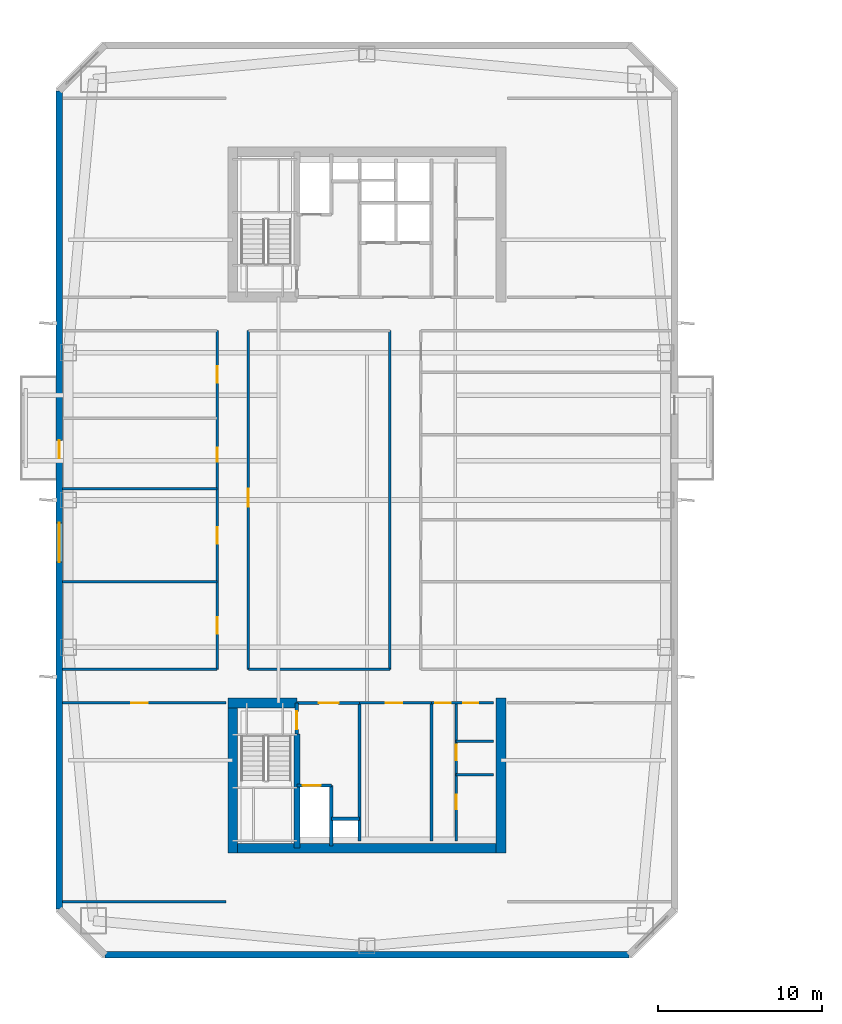
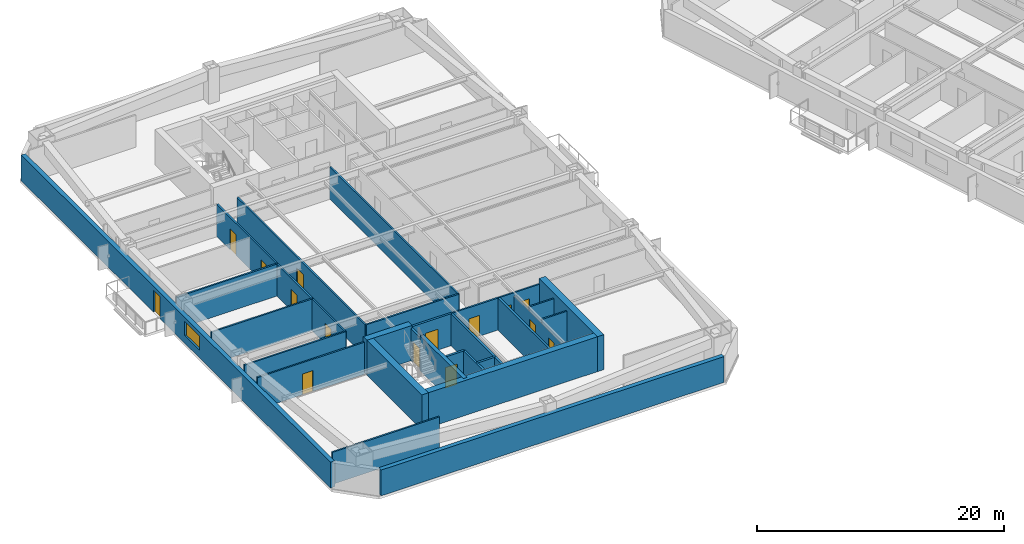
# One storey, part 11 of 23: 28 walls, 15 doors, 1 window, 16 openings.
"""IFC4 building model written with IfcOpenShell, lengths in metres."""

from ifc_helpers import new_model, si_unit, direction, frame, frame_2d, origin, place, context, subcontext, project, spatial, rectangle, extrude, material, layer, layer_set, type_object, element, fill, save


model = new_model("IFC4")

# Units and contexts
model_context = context("Model", 3, precision=1e-05, world=origin(), true_north=direction((0.0, 1.0)))
body_context = subcontext(model_context, "Body", "Model", "MODEL_VIEW")
ifc_project = project(units=[si_unit("LENGTHUNIT", "METRE"), si_unit("AREAUNIT", "SQUARE_METRE"), si_unit("VOLUMEUNIT", "CUBIC_METRE"), si_unit("PLANEANGLEUNIT", "RADIAN"), si_unit("MASSUNIT", "GRAM", prefix="KILO")], contexts=[model_context])

# Site, building, storey
site_placement = place(None, origin())
site = spatial("IfcSite", under=ifc_project, at=site_placement, CompositionType="ELEMENT")
building_placement = place(site_placement, origin())
building = spatial("IfcBuilding", under=site, at=building_placement, Name="Qiaolan Cultural Towers", CompositionType="ELEMENT")
storey_placement = place(building_placement, frame((0.0, 0.0, 100.050048828125)))
storey = spatial("IfcBuildingStorey", under=building, at=storey_placement, Name="L25", CompositionType="ELEMENT", Elevation=100.050048828125)

# Walls
ifc_material_1 = material(Name="Concrete C50", Category="concrete")
ifc_layer_1 = layer(ifc_material_1, 0.35009765625)
ifc_layer_set_1 = layer_set([ifc_layer_1], Name="Concrete C50")
wall_type_1 = type_object("IfcWallType", Name="WL-CORE-350", PredefinedType="SHEAR", material=ifc_layer_set_1)
wall_1_placement = place(storey_placement, frame((25.719970703125, 19.699951171875, 0.0), z_axis=(0.0, 0.0, 1.0), x_axis=(0.0, -1.0, 0.0)))
element("IfcWall", 1, at=wall_1_placement, inside=storey, type_object=wall_type_1, Name="L25 T1-CS Stair Core Dividing Web", PredefinedType="SHEAR", context=body_context, shape_type="SweptSolid", body=[
    extrude(rectangle(XDim=6.97998046875, YDim=0.35009765625, at=frame_2d((3.489990234375, 0.0))), origin(), (0.0, 0.0, 1.0), 3.449951171875),
])
ifc_material_2 = material(Name="Concrete C55", Category="concrete")
ifc_layer_2 = layer(ifc_material_2, 0.60009765625)
ifc_layer_set_2 = layer_set([ifc_layer_2], Name="Concrete C55")
wall_type_2 = type_object("IfcWallType", Name="WL-CORE-600", PredefinedType="SHEAR", material=ifc_layer_set_2)
wall_2_placement = place(storey_placement, frame((21.5, 12.719970703125, 0.0), z_axis=(0.0, 0.0, 1.0), x_axis=(1.0, 0.0, 0.0)))
element("IfcWall", 2, at=wall_2_placement, inside=storey, type_object=wall_type_2, Name="L25 T1-CS Outer Core Shear Wall", PredefinedType="SHEAR", context=body_context, shape_type="SweptSolid", body=[
    extrude(rectangle(XDim=17.0, YDim=0.60009765625, at=frame_2d((8.5, 0.0))), origin(), (0.0, 0.0, 1.0), 3.449951171875),
])
for number, where, z_axis, x_axis, name in (
    (3, (21.800048828125, 21.89990234375, 0.0), (0.0, 0.0, 1.0), (0.0, -1.0, 0.0), "L25 T1-CS West Core Shear Wall"),
    (4, (38.199951171875, 21.89990234375, 0.0), (0.0, 0.0, 1.0), (0.0, -1.0, 0.0), "L25 T1-CS East Core Shear Wall"),
):
    element("IfcWall", number, at=place(storey_placement, frame(where, z_axis=z_axis, x_axis=x_axis)), inside=storey, type_object=wall_type_2, Name=name, PredefinedType="SHEAR", context=body_context, shape_type="SweptSolid", body=[
        extrude(rectangle(XDim=9.47998046875, YDim=0.60009765625, at=frame_2d((4.739990234375, 0.0))), origin(), (0.0, 0.0, 1.0), 3.449951171875),
    ])
wall_3_placement = place(storey_placement, frame((21.5, 21.60009765625, 0.0), z_axis=(0.0, 0.0, 1.0), x_axis=(1.0, 0.0, 0.0)))
element("IfcWall", 5, at=wall_3_placement, inside=storey, type_object=wall_type_2, Name="L25 T1-CS Stair Front Shear Wall", PredefinedType="SHEAR", context=body_context, shape_type="SweptSolid", body=[
    extrude(rectangle(XDim=4.219970703125, YDim=0.60009765625, at=frame_2d((2.10986328125, 0.0))), origin(), (0.0, 0.0, 1.0), 3.449951171875),
])

# Wall, openings, door, window
ifc_material_3 = material(Name="Precast Concrete C50 Honed Stone Pier", Category="masonry")
ifc_layer_3 = layer(ifc_material_3, 0.39990234375)
ifc_layer_set_3 = layer_set([ifc_layer_3], Name="Precast Concrete C50 Honed Stone Pier")
wall_type_3 = type_object("IfcWallType", Name="WL-EXT-PIER-400", PredefinedType="SOLIDWALL", material=ifc_layer_set_3)
wall_4_placement = place(storey_placement, frame((11.199951171875, 9.0, 0.0), z_axis=(0.0, 0.0, 1.0), x_axis=(0.0, 1.0, 0.0)))
wall_4 = element("IfcWall", 6, at=wall_4_placement, inside=storey, type_object=wall_type_3, Name="L25 West Tower Precast Pier Facade Wall F1", PredefinedType="SOLIDWALL", context=body_context, shape_type="SweptSolid", body=[
    extrude(rectangle(XDim=50.0, YDim=0.39990234375, at=frame_2d((25.0, 0.0))), origin(), (0.0, 0.0, 1.0), 2.550048828125),
])
opening_1_placement = place(wall_4_placement, frame((21.199951171875, 0.0, 0.75)))
opening_1 = element("IfcOpeningElement", 7, at=opening_1_placement, cuts=wall_4, Name="Opening W-02", PredefinedType="OPENING", context=body_context, shape_type="SweptSolid", body=[
    extrude(rectangle(XDim=2.39990234375, YDim=1.39990234375, at=frame_2d((1.199951171875, 0.699951171875))), frame((0.0, 0.2099609375, 0.0), z_axis=(0.0, -1.0, 0.0), x_axis=(1.0, 0.0, 0.0)), (0.0, 0.0, 1.0), 0.419921875),
])
opening_2_placement = place(wall_4_placement, frame((27.550048828125, 0.0, 0.0)))
opening_2 = element("IfcOpeningElement", 8, at=opening_2_placement, cuts=wall_4, Name="Opening BD-01", PredefinedType="OPENING", context=body_context, shape_type="SweptSolid", body=[
    extrude(rectangle(XDim=1.10009765625, YDim=2.14990234375, at=frame_2d((0.550048828125, 1.074951171875))), frame((0.0, 0.2099609375, 0.0), z_axis=(0.0, -1.0, 0.0), x_axis=(1.0, 0.0, 0.0)), (0.0, 0.0, 1.0), 0.419921875),
])
ifc_material_4 = material(Name="Thermally Broken Aluminium Glazed Terrace Door", Category="aluminium")
door_type_1 = type_object("IfcDoorType", Name="DR-BAL-1100", OperationType="NOTDEFINED", PredefinedType="DOOR", material=ifc_material_4)
door_1_placement = place(opening_2_placement, origin())
door_1 = element("IfcDoor", 9, at=door_1_placement, inside=storey, type_object=door_type_1, Name="L25 T1 West Tree Balcony Door", OperationType="SINGLE_SWING_LEFT", OverallHeight=2.14990234375, OverallWidth=1.10009765625, PredefinedType="DOOR", context=body_context, shape_type="SweptSolid", body=[
    extrude(rectangle(XDim=1.10009765625, YDim=2.14990234375, at=frame_2d((0.550048828125, 1.074951171875))), frame((0.0, 0.02490234375, 0.0), z_axis=(0.0, -1.0, 0.0), x_axis=(1.0, 0.0, 0.0)), (0.0, 0.0, 1.0), 0.050048828125),
])
fill(opening_2, door_1)
ifc_material_5 = material(Name="Thermally Broken Aluminium Triple Low-E Glazing", Category="aluminium")
window_type = type_object("IfcWindowType", Name="WN-CHIC-2400", PartitioningType="SINGLE_PANEL", PredefinedType="WINDOW", material=ifc_material_5)
window_placement = place(opening_1_placement, origin())
window = element("IfcWindow", 10, at=window_placement, inside=storey, type_object=window_type, Name="L25 T1 W Chicago Bay Window 1", OverallHeight=1.39990234375, OverallWidth=2.39990234375, PartitioningType="TRIPLE_PANEL_VERTICAL", PredefinedType="WINDOW", context=body_context, shape_type="SweptSolid", body=[
    extrude(rectangle(XDim=2.39990234375, YDim=1.39990234375, at=frame_2d((1.199951171875, 0.699951171875))), frame((0.0, 0.030029296875, 0.0), z_axis=(0.0, -1.0, 0.0), x_axis=(1.0, 0.0, 0.0)), (0.0, 0.0, 1.0), 0.06005859375),
])
fill(opening_1, window)

# Wall
wall_5_placement = place(storey_placement, frame((46.0, 6.199951171875, 0.0), z_axis=(0.0, 0.0, 1.0), x_axis=(-1.0, 0.0, 0.0)))
element("IfcWall", 11, at=wall_5_placement, inside=storey, type_object=wall_type_3, Name="L25 West Tower Precast Pier Facade Wall F7", PredefinedType="SOLIDWALL", context=body_context, shape_type="SweptSolid", body=[
    extrude(rectangle(XDim=32.0, YDim=0.39990234375, at=frame_2d((16.0, 0.0))), origin(), (0.0, 0.0, 1.0), 2.550048828125),
])

# Wall, opening, door
ifc_material_6 = material(Name="Concrete C35 Fire Wall", Category="concrete")
ifc_layer_4 = layer(ifc_material_6, 0.199951171875)
ifc_layer_set_4 = layer_set([ifc_layer_4], Name="Concrete C35 Fire Wall")
wall_type_4 = type_object("IfcWallType", Name="WL-FIRE-200", PredefinedType="PARTITIONING", material=ifc_layer_set_4)
wall_6_placement = place(storey_placement, frame((25.719970703125, 21.60009765625, 0.0), z_axis=(0.0, 0.0, 1.0), x_axis=(0.0, -1.0, 0.0)))
wall_6 = element("IfcWall", 12, at=wall_6_placement, inside=storey, type_object=wall_type_4, Name="L25 T1-CS Smokeproof Stair Entry Wall", PredefinedType="PARTITIONING", context=body_context, shape_type="SweptSolid", body=[
    extrude(rectangle(XDim=1.900146484375, YDim=0.199951171875, at=frame_2d((0.9501953125, 0.0))), origin(), (0.0, 0.0, 1.0), 3.155029296875),
])
opening_3_placement = place(wall_6_placement, frame((0.52001953125, 0.0, 0.0)))
opening_3 = element("IfcOpeningElement", 13, at=opening_3_placement, cuts=wall_6, Name="Opening FD-04", PredefinedType="OPENING", context=body_context, shape_type="SweptSolid", body=[
    extrude(rectangle(XDim=1.10009765625, YDim=2.050048828125, at=frame_2d((0.550048828125, 1.02490234375))), frame((0.0, 0.10986328125, 0.0), z_axis=(0.0, -1.0, 0.0), x_axis=(1.0, 0.0, 0.0)), (0.0, 0.0, 1.0), 0.219970703125),
])
ifc_material_7 = material(Name="Galvanized Steel Command Fire Door", Category="steel")
door_type_2 = type_object("IfcDoorType", Name="DR-FD90-1100", OperationType="NOTDEFINED", PredefinedType="DOOR", material=ifc_material_7)
door_2_placement = place(opening_3_placement, origin())
door_2 = element("IfcDoor", 14, at=door_2_placement, inside=storey, type_object=door_type_2, Name="L25 ST-W1 Smokeproof Stair Fire Door", OperationType="SINGLE_SWING_LEFT", OverallHeight=2.050048828125, OverallWidth=1.10009765625, PredefinedType="DOOR", context=body_context, shape_type="SweptSolid", body=[
    extrude(rectangle(XDim=1.10009765625, YDim=2.050048828125, at=frame_2d((0.550048828125, 1.02490234375))), frame((0.0, 0.02490234375, 0.0), z_axis=(0.0, -1.0, 0.0), x_axis=(1.0, 0.0, 0.0)), (0.0, 0.0, 1.0), 0.050048828125),
])
fill(opening_3, door_2)

# Wall
wall_7_placement = place(storey_placement, frame((29.550048828125, 21.60009765625, 0.0), z_axis=(0.0, 0.0, 1.0), x_axis=(0.0, -1.0, 0.0)))
element("IfcWall", 15, at=wall_7_placement, inside=storey, type_object=wall_type_4, Name="L25 T1-CS Firefighting Zone Wall", PredefinedType="PARTITIONING", context=body_context, shape_type="SweptSolid", body=[
    extrude(rectangle(XDim=8.43017578125, YDim=0.199951171875, at=frame_2d((4.215087890625, 0.0))), origin(), (0.0, 0.0, 1.0), 3.155029296875),
])

# Wall, opening, door
wall_8_placement = place(storey_placement, frame((25.719970703125, 21.60009765625, 0.0), z_axis=(0.0, 0.0, 1.0), x_axis=(1.0, 0.0, 0.0)))
wall_8 = element("IfcWall", 16, at=wall_8_placement, inside=storey, type_object=wall_type_4, Name="L25 T1-CS Firefighting Lobby Front Wall", PredefinedType="PARTITIONING", context=body_context, shape_type="SweptSolid", body=[
    extrude(rectangle(XDim=3.830078125, YDim=0.199951171875, at=frame_2d((1.9150390625, 0.0))), origin(), (0.0, 0.0, 1.0), 3.155029296875),
])
opening_4_placement = place(wall_8_placement, frame((1.35009765625, 0.0, 0.0)))
opening_4 = element("IfcOpeningElement", 17, at=opening_4_placement, cuts=wall_8, Name="Opening FD-03", PredefinedType="OPENING", context=body_context, shape_type="SweptSolid", body=[
    extrude(rectangle(XDim=1.199951171875, YDim=2.050048828125, at=frame_2d((0.60009765625, 1.02490234375))), frame((0.0, 0.10986328125, 0.0), z_axis=(0.0, -1.0, 0.0), x_axis=(1.0, 0.0, 0.0)), (0.0, 0.0, 1.0), 0.219970703125),
])
ifc_material_8 = material(Name="Galvanized Steel Smokeproof Lobby Fire Door", Category="steel")
door_type_3 = type_object("IfcDoorType", Name="DR-FD90-1200", OperationType="NOTDEFINED", PredefinedType="DOOR", material=ifc_material_8)
door_3_placement = place(opening_4_placement, origin())
door_3 = element("IfcDoor", 18, at=door_3_placement, inside=storey, type_object=door_type_3, Name="L25 FFL-W1 Firefighting Lobby Fire Door", OperationType="SINGLE_SWING_LEFT", OverallHeight=2.050048828125, OverallWidth=1.199951171875, PredefinedType="DOOR", context=body_context, shape_type="SweptSolid", body=[
    extrude(rectangle(XDim=1.199951171875, YDim=2.050048828125, at=frame_2d((0.60009765625, 1.02490234375))), frame((0.0, 0.02490234375, 0.0), z_axis=(0.0, -1.0, 0.0), x_axis=(1.0, 0.0, 0.0)), (0.0, 0.0, 1.0), 0.050048828125),
])
fill(opening_4, door_3)

wall_9_placement = place(storey_placement, frame((25.719970703125, 16.550048828125, 0.0), z_axis=(0.0, 0.0, 1.0), x_axis=(1.0, 0.0, 0.0)))
wall_9 = element("IfcWall", 19, at=wall_9_placement, inside=storey, type_object=wall_type_4, Name="L25 T1-CS Firefighting Shaft Front Wall", PredefinedType="PARTITIONING", context=body_context, shape_type="SweptSolid", body=[
    extrude(rectangle(XDim=2.10009765625, YDim=0.199951171875, at=frame_2d((1.050048828125, 0.0))), origin(), (0.0, 0.0, 1.0), 3.155029296875),
])
opening_5_placement = place(wall_9_placement, frame((0.35009765625, 0.0, 0.0)))
opening_5 = element("IfcOpeningElement", 20, at=opening_5_placement, cuts=wall_9, Name="Opening LD-01", PredefinedType="OPENING", context=body_context, shape_type="SweptSolid", body=[
    extrude(rectangle(XDim=1.10009765625, YDim=2.050048828125, at=frame_2d((0.550048828125, 1.02490234375))), frame((0.0, 0.10986328125, 0.0), z_axis=(0.0, -1.0, 0.0), x_axis=(1.0, 0.0, 0.0)), (0.0, 0.0, 1.0), 0.219970703125),
])
ifc_material_9 = material(Name="Brushed Stainless Steel S30408 Centre-Parting Lift Landing Door", Category="steel")
door_type_4 = type_object("IfcDoorType", Name="DR-LIFT-1100", OperationType="NOTDEFINED", PredefinedType="DOOR", material=ifc_material_9)
door_4_placement = place(opening_5_placement, origin())
door_4 = element("IfcDoor", 21, at=door_4_placement, inside=storey, type_object=door_type_4, Name="L25 FFL-W1 Firefighting Lift Landing Door", OperationType="DOUBLE_DOOR_SLIDING", OverallHeight=2.050048828125, OverallWidth=1.10009765625, PredefinedType="DOOR", context=body_context, shape_type="SweptSolid", body=[
    extrude(rectangle(XDim=1.10009765625, YDim=2.050048828125, at=frame_2d((0.550048828125, 1.02490234375))), frame((0.0, 0.02490234375, 0.0), z_axis=(0.0, -1.0, 0.0), x_axis=(1.0, 0.0, 0.0)), (0.0, 0.0, 1.0), 0.050048828125),
])
fill(opening_5, door_4)

# Walls
wall_10_placement = place(storey_placement, frame((27.820068359375, 16.550048828125, 0.0), z_axis=(0.0, 0.0, 1.0), x_axis=(0.0, -1.0, 0.0)))
element("IfcWall", 22, at=wall_10_placement, inside=storey, type_object=wall_type_4, Name="L25 T1-CS Firefighting Hoistway East Wall", PredefinedType="PARTITIONING", context=body_context, shape_type="SweptSolid", body=[
    extrude(rectangle(XDim=3.699951171875, YDim=0.199951171875, at=frame_2d((1.85009765625, 0.0))), origin(), (0.0, 0.0, 1.0), 3.155029296875),
])
wall_11_placement = place(storey_placement, frame((27.820068359375, 14.52001953125, 0.0), z_axis=(0.0, 0.0, 1.0), x_axis=(1.0, 0.0, 0.0)))
element("IfcWall", 23, at=wall_11_placement, inside=storey, type_object=wall_type_4, Name="L25 T1-CS Pressurization Shaft Front Wall", PredefinedType="PARTITIONING", context=body_context, shape_type="SweptSolid", body=[
    extrude(rectangle(XDim=1.72998046875, YDim=0.199951171875, at=frame_2d((0.864990234375, 0.0))), origin(), (0.0, 0.0, 1.0), 3.155029296875),
])
wall_12_placement = place(storey_placement, frame((33.949951171875, 21.60009765625, 0.0), z_axis=(0.0, 0.0, 1.0), x_axis=(0.0, -1.0, 0.0)))
element("IfcWall", 24, at=wall_12_placement, inside=storey, type_object=wall_type_4, Name="L25 T1-CS Lift Core East Wall", PredefinedType="PARTITIONING", context=body_context, shape_type="SweptSolid", body=[
    extrude(rectangle(XDim=8.43017578125, YDim=0.199951171875, at=frame_2d((4.215087890625, 0.0))), origin(), (0.0, 0.0, 1.0), 3.155029296875),
])

# Wall, opening, door
ifc_material_10 = material(Name="Autoclaved Aerated Concrete Block B06", Category="concrete")
ifc_layer_5 = layer(ifc_material_10, 0.14990234375)
ifc_layer_set_5 = layer_set([ifc_layer_5], Name="Autoclaved Aerated Concrete Block B06")
wall_type_5 = type_object("IfcWallType", Name="WL-PART-150", PredefinedType="PARTITIONING", material=ifc_layer_set_5)
wall_13_placement = place(storey_placement, frame((29.550048828125, 21.60009765625, 0.0), z_axis=(0.0, 0.0, 1.0), x_axis=(1.0, 0.0, 0.0)))
wall_13 = element("IfcWall", 25, at=wall_13_placement, inside=storey, type_object=wall_type_5, Name="L25 T1-CS Reclaimed Core Room Front Wall", PredefinedType="PARTITIONING", context=body_context, shape_type="SweptSolid", body=[
    extrude(rectangle(XDim=4.39990234375, YDim=0.14990234375, at=frame_2d((2.199951171875, 0.0))), origin(), (0.0, 0.0, 1.0), 3.155029296875),
])
opening_6_placement = place(wall_13_placement, frame((1.60009765625, 0.0, 0.0)))
opening_6 = element("IfcOpeningElement", 26, at=opening_6_placement, cuts=wall_13, Name="Opening ID-04", PredefinedType="OPENING", context=body_context, shape_type="SweptSolid", body=[
    extrude(rectangle(XDim=1.0, YDim=2.050048828125, at=frame_2d((0.5, 1.02490234375))), frame((0.0, 0.0849609375, 0.0), z_axis=(0.0, -1.0, 0.0), x_axis=(1.0, 0.0, 0.0)), (0.0, 0.0, 1.0), 0.169921875),
])
ifc_material_11 = material(Name="Oak Veneer Acoustic Office Door", Category="timber")
door_type_5 = type_object("IfcDoorType", Name="DR-INT-1000", OperationType="NOTDEFINED", PredefinedType="DOOR", material=ifc_material_11)
door_5_placement = place(opening_6_placement, origin())
door_5 = element("IfcDoor", 27, at=door_5_placement, inside=storey, type_object=door_type_5, Name="L25 Reclaimed Archive Room Door", OperationType="SINGLE_SWING_LEFT", OverallHeight=2.050048828125, OverallWidth=1.0, PredefinedType="DOOR", context=body_context, shape_type="SweptSolid", body=[
    extrude(rectangle(XDim=1.0, YDim=2.050048828125, at=frame_2d((0.5, 1.02490234375))), frame((0.0, 0.02490234375, 0.0), z_axis=(0.0, -1.0, 0.0), x_axis=(1.0, 0.0, 0.0)), (0.0, 0.0, 1.0), 0.050048828125),
])
fill(opening_6, door_5)

# Wall, openings, doors
wall_14_placement = place(storey_placement, frame((33.949951171875, 21.60009765625, 0.0), z_axis=(0.0, 0.0, 1.0), x_axis=(1.0, 0.0, 0.0)))
wall_14 = element("IfcWall", 28, at=wall_14_placement, inside=storey, type_object=wall_type_5, Name="L25 T1-CS Sanitary Core Front Wall", PredefinedType="PARTITIONING", context=body_context, shape_type="SweptSolid", body=[
    extrude(rectangle(XDim=3.800048828125, YDim=0.14990234375, at=frame_2d((1.89990234375, 0.0))), origin(), (0.0, 0.0, 1.0), 3.155029296875),
])
opening_7_placement = place(wall_14_placement, frame((0.219970703125, 0.0, 0.0)))
opening_7 = element("IfcOpeningElement", 29, at=opening_7_placement, cuts=wall_14, Name="Opening ID-05", PredefinedType="OPENING", context=body_context, shape_type="SweptSolid", body=[
    extrude(rectangle(XDim=0.949951171875, YDim=2.050048828125, at=frame_2d((0.47509765625, 1.02490234375))), frame((0.0, 0.0849609375, 0.0), z_axis=(0.0, -1.0, 0.0), x_axis=(1.0, 0.0, 0.0)), (0.0, 0.0, 1.0), 0.169921875),
])
opening_8_placement = place(wall_14_placement, frame((1.949951171875, 0.0, 0.0)))
opening_8 = element("IfcOpeningElement", 30, at=opening_8_placement, cuts=wall_14, Name="Opening ID-06", PredefinedType="OPENING", context=body_context, shape_type="SweptSolid", body=[
    extrude(rectangle(XDim=0.89990234375, YDim=2.050048828125, at=frame_2d((0.449951171875, 1.02490234375))), frame((0.0, 0.0849609375, 0.0), z_axis=(0.0, -1.0, 0.0), x_axis=(1.0, 0.0, 0.0)), (0.0, 0.0, 1.0), 0.169921875),
])
ifc_material_12 = material(Name="Fire-Rated Laminate Core Service Door", Category="timber")
door_type_6 = type_object("IfcDoorType", Name="DR-INT-900", OperationType="NOTDEFINED", PredefinedType="DOOR", material=ifc_material_12)
door_6_placement = place(opening_8_placement, origin())
door_6 = element("IfcDoor", 31, at=door_6_placement, inside=storey, type_object=door_type_6, Name="L25 Core Tea Pantry Door", OperationType="SINGLE_SWING_RIGHT", OverallHeight=2.050048828125, OverallWidth=0.89990234375, PredefinedType="DOOR", context=body_context, shape_type="SweptSolid", body=[
    extrude(rectangle(XDim=0.89990234375, YDim=2.050048828125, at=frame_2d((0.449951171875, 1.02490234375))), frame((0.0, 0.02490234375, 0.0), z_axis=(0.0, -1.0, 0.0), x_axis=(1.0, 0.0, 0.0)), (0.0, 0.0, 1.0), 0.050048828125),
])
fill(opening_8, door_6)
ifc_material_13 = material(Name="Fire-Rated Laminate Accessible Core Door", Category="timber")
door_type_7 = type_object("IfcDoorType", Name="DR-INT-950", OperationType="NOTDEFINED", PredefinedType="DOOR", material=ifc_material_13)
door_7_placement = place(opening_7_placement, origin())
door_7 = element("IfcDoor", 32, at=door_7_placement, inside=storey, type_object=door_type_7, Name="L25 Sanitary Passage Door", OperationType="SINGLE_SWING_LEFT", OverallHeight=2.050048828125, OverallWidth=0.949951171875, PredefinedType="DOOR", context=body_context, shape_type="SweptSolid", body=[
    extrude(rectangle(XDim=0.949951171875, YDim=2.050048828125, at=frame_2d((0.47509765625, 1.02490234375))), frame((0.0, 0.02490234375, 0.0), z_axis=(0.0, -1.0, 0.0), x_axis=(1.0, 0.0, 0.0)), (0.0, 0.0, 1.0), 0.050048828125),
])
fill(opening_7, door_7)

wall_15_placement = place(storey_placement, frame((35.449951171875, 21.60009765625, 0.0), z_axis=(0.0, 0.0, 1.0), x_axis=(0.0, -1.0, 0.0)))
wall_15 = element("IfcWall", 33, at=wall_15_placement, inside=storey, type_object=wall_type_5, Name="L25 T1-CS Sanitary Corridor Wall", PredefinedType="PARTITIONING", context=body_context, shape_type="SweptSolid", body=[
    extrude(rectangle(XDim=8.43017578125, YDim=0.14990234375, at=frame_2d((4.215087890625, 0.0))), origin(), (0.0, 0.0, 1.0), 2.81494140625),
])
opening_9_placement = place(wall_15_placement, frame((2.550048828125, 0.0, 0.0)))
opening_9 = element("IfcOpeningElement", 34, at=opening_9_placement, cuts=wall_15, Name="Opening ID-05", PredefinedType="OPENING", context=body_context, shape_type="SweptSolid", body=[
    extrude(rectangle(XDim=0.949951171875, YDim=2.050048828125, at=frame_2d((0.47509765625, 1.02490234375))), frame((0.0, 0.0849609375, 0.0), z_axis=(0.0, -1.0, 0.0), x_axis=(1.0, 0.0, 0.0)), (0.0, 0.0, 1.0), 0.169921875),
])
opening_10_placement = place(wall_15_placement, frame((5.60009765625, 0.0, 0.0)))
opening_10 = element("IfcOpeningElement", 35, at=opening_10_placement, cuts=wall_15, Name="Opening ID-06", PredefinedType="OPENING", context=body_context, shape_type="SweptSolid", body=[
    extrude(rectangle(XDim=0.89990234375, YDim=2.050048828125, at=frame_2d((0.449951171875, 1.02490234375))), frame((0.0, 0.0849609375, 0.0), z_axis=(0.0, -1.0, 0.0), x_axis=(1.0, 0.0, 0.0)), (0.0, 0.0, 1.0), 0.169921875),
])
door_8_placement = place(opening_10_placement, origin())
door_8 = element("IfcDoor", 36, at=door_8_placement, inside=storey, type_object=door_type_6, Name="L25 Staff Restroom Door", OperationType="SINGLE_SWING_RIGHT", OverallHeight=2.050048828125, OverallWidth=0.89990234375, PredefinedType="DOOR", context=body_context, shape_type="SweptSolid", body=[
    extrude(rectangle(XDim=0.89990234375, YDim=2.050048828125, at=frame_2d((0.449951171875, 1.02490234375))), frame((0.0, 0.02490234375, 0.0), z_axis=(0.0, -1.0, 0.0), x_axis=(1.0, 0.0, 0.0)), (0.0, 0.0, 1.0), 0.050048828125),
])
fill(opening_10, door_8)
door_9_placement = place(opening_9_placement, origin())
door_9 = element("IfcDoor", 37, at=door_9_placement, inside=storey, type_object=door_type_7, Name="L25 Accessible Washroom Door", OperationType="SINGLE_SWING_LEFT", OverallHeight=2.050048828125, OverallWidth=0.949951171875, PredefinedType="DOOR", context=body_context, shape_type="SweptSolid", body=[
    extrude(rectangle(XDim=0.949951171875, YDim=2.050048828125, at=frame_2d((0.47509765625, 1.02490234375))), frame((0.0, 0.02490234375, 0.0), z_axis=(0.0, -1.0, 0.0), x_axis=(1.0, 0.0, 0.0)), (0.0, 0.0, 1.0), 0.050048828125),
])
fill(opening_9, door_9)

# Walls
for number, where, z_axis, x_axis, name in (
    (38, (35.449951171875, 17.199951171875, 0.0), (0.0, 0.0, 1.0), (1.0, 0.0, 0.0), "L25 T1-CS Restroom Split Wall"),
    (39, (35.449951171875, 19.25, 0.0), (0.0, 0.0, 1.0), (1.0, 0.0, 0.0), "L25 T1-CS Core Pantry Wall"),
):
    element("IfcWall", number, at=place(storey_placement, frame(where, z_axis=z_axis, x_axis=x_axis)), inside=storey, type_object=wall_type_5, Name=name, PredefinedType="PARTITIONING", context=body_context, shape_type="SweptSolid", body=[
        extrude(rectangle(XDim=2.300048828125, YDim=0.14990234375, at=frame_2d((1.14990234375, 0.0))), origin(), (0.0, 0.0, 1.0), 3.155029296875),
    ])
wall_16_placement = place(storey_placement, frame((11.39990234375, 9.449951171875, 0.0), z_axis=(0.0, 0.0, 1.0), x_axis=(1.0, 0.0, 0.0)))
element("IfcWall", 40, at=wall_16_placement, inside=storey, type_object=wall_type_5, Name="L25 T1 Flank Wall FLK-SW", PredefinedType="PARTITIONING", context=body_context, shape_type="SweptSolid", body=[
    extrude(rectangle(XDim=10.0, YDim=0.14990234375, at=frame_2d((5.0, 0.0))), origin(), (0.0, 0.0, 1.0), 3.155029296875),
])

# Wall, opening, door
wall_17_placement = place(storey_placement, frame((11.39990234375, 21.60009765625, 0.0), z_axis=(0.0, 0.0, 1.0), x_axis=(1.0, 0.0, 0.0)))
wall_17 = element("IfcWall", 41, at=wall_17_placement, inside=storey, type_object=wall_type_5, Name="L25 T1 Flank Front FLK-SW", PredefinedType="PARTITIONING", context=body_context, shape_type="SweptSolid", body=[
    extrude(rectangle(XDim=10.0, YDim=0.14990234375, at=frame_2d((5.0, 0.0))), origin(), (0.0, 0.0, 1.0), 3.155029296875),
])
opening_11_placement = place(wall_17_placement, frame((4.199951171875, 0.0, 0.0)))
opening_11 = element("IfcOpeningElement", 42, at=opening_11_placement, cuts=wall_17, Name="Opening ID-04", PredefinedType="OPENING", context=body_context, shape_type="SweptSolid", body=[
    extrude(rectangle(XDim=1.0, YDim=2.050048828125, at=frame_2d((0.5, 1.02490234375))), frame((0.0, 0.0849609375, 0.0), z_axis=(0.0, -1.0, 0.0), x_axis=(1.0, 0.0, 0.0)), (0.0, 0.0, 1.0), 0.169921875),
])
door_10_placement = place(opening_11_placement, origin())
door_10 = element("IfcDoor", 43, at=door_10_placement, inside=storey, type_object=door_type_5, Name="L25 T1 Corner Studio Door", OperationType="SINGLE_SWING_LEFT", OverallHeight=2.050048828125, OverallWidth=1.0, PredefinedType="DOOR", context=body_context, shape_type="SweptSolid", body=[
    extrude(rectangle(XDim=1.0, YDim=2.050048828125, at=frame_2d((0.5, 1.02490234375))), frame((0.0, 0.02490234375, 0.0), z_axis=(0.0, -1.0, 0.0), x_axis=(1.0, 0.0, 0.0)), (0.0, 0.0, 1.0), 0.050048828125),
])
fill(opening_11, door_10)

# Walls
wall_18_placement = place(storey_placement, frame((11.39990234375, 23.64990234375, 0.0), z_axis=(0.0, 0.0, 1.0), x_axis=(1.0, 0.0, 0.0)))
element("IfcWall", 44, at=wall_18_placement, inside=storey, type_object=wall_type_5, Name="L25 T1 Interior Wall", PredefinedType="PARTITIONING", context=body_context, shape_type="SweptSolid", body=[
    extrude(rectangle(XDim=9.4501953125, YDim=0.14990234375, at=frame_2d((4.72509765625, 0.0))), origin(), (0.0, 0.0, 1.0), 3.155029296875),
])
wall_19_placement = place(storey_placement, frame((22.75, 23.64990234375, 0.0), z_axis=(0.0, 0.0, 1.0), x_axis=(1.0, 0.0, 0.0)))
element("IfcWall", 45, at=wall_19_placement, inside=storey, type_object=wall_type_5, Name="L25 T1 Interior Wall", PredefinedType="PARTITIONING", context=body_context, shape_type="SweptSolid", body=[
    extrude(rectangle(XDim=8.64990234375, YDim=0.14990234375, at=frame_2d((4.324951171875, 0.0))), origin(), (0.0, 0.0, 1.0), 3.155029296875),
])

# Wall, openings, doors
wall_20_placement = place(storey_placement, frame((20.85009765625, 23.64990234375, 0.0), z_axis=(0.0, 0.0, 1.0), x_axis=(0.0, 1.0, 0.0)))
wall_20 = element("IfcWall", 46, at=wall_20_placement, inside=storey, type_object=wall_type_5, Name="L25 T1 Interior Wall", PredefinedType="PARTITIONING", context=body_context, shape_type="SweptSolid", body=[
    extrude(rectangle(XDim=20.7001953125, YDim=0.14990234375, at=frame_2d((10.35009765625, 0.0))), origin(), (0.0, 0.0, 1.0), 3.155029296875),
])
opening_12_placement = place(wall_20_placement, frame((2.175048828125, 0.0, 0.0)))
opening_12 = element("IfcOpeningElement", 47, at=opening_12_placement, cuts=wall_20, Name="Opening ID-04", PredefinedType="OPENING", context=body_context, shape_type="SweptSolid", body=[
    extrude(rectangle(XDim=1.0, YDim=2.050048828125, at=frame_2d((0.5, 1.02490234375))), frame((0.0, 0.0849609375, 0.0), z_axis=(0.0, -1.0, 0.0), x_axis=(1.0, 0.0, 0.0)), (0.0, 0.0, 1.0), 0.169921875),
])
opening_13_placement = place(wall_20_placement, frame((7.68994140625, 0.0, 0.0)))
opening_13 = element("IfcOpeningElement", 48, at=opening_13_placement, cuts=wall_20, Name="Opening ID-04", PredefinedType="OPENING", context=body_context, shape_type="SweptSolid", body=[
    extrude(rectangle(XDim=1.0, YDim=2.050048828125, at=frame_2d((0.5, 1.02490234375))), frame((0.0, 0.0849609375, 0.0), z_axis=(0.0, -1.0, 0.0), x_axis=(1.0, 0.0, 0.0)), (0.0, 0.0, 1.0), 0.169921875),
])
opening_14_placement = place(wall_20_placement, frame((12.68994140625, 0.0, 0.0)))
opening_14 = element("IfcOpeningElement", 49, at=opening_14_placement, cuts=wall_20, Name="Opening ID-09", PredefinedType="OPENING", context=body_context, shape_type="SweptSolid", body=[
    extrude(rectangle(XDim=0.85009765625, YDim=2.050048828125, at=frame_2d((0.425048828125, 1.02490234375))), frame((0.0, 0.0849609375, 0.0), z_axis=(0.0, -1.0, 0.0), x_axis=(1.0, 0.0, 0.0)), (0.0, 0.0, 1.0), 0.169921875),
])
opening_15_placement = place(wall_20_placement, frame((17.52490234375, 0.0, 0.0)))
opening_15 = element("IfcOpeningElement", 50, at=opening_15_placement, cuts=wall_20, Name="Opening ID-04", PredefinedType="OPENING", context=body_context, shape_type="SweptSolid", body=[
    extrude(rectangle(XDim=1.0, YDim=2.050048828125, at=frame_2d((0.5, 1.02490234375))), frame((0.0, 0.0849609375, 0.0), z_axis=(0.0, -1.0, 0.0), x_axis=(1.0, 0.0, 0.0)), (0.0, 0.0, 1.0), 0.169921875),
])
door_11_placement = place(opening_12_placement, origin())
door_11 = element("IfcDoor", 51, at=door_11_placement, inside=storey, type_object=door_type_5, Name="L25 T1 Rare Books Reading Room Door", OperationType="SINGLE_SWING_LEFT", OverallHeight=2.050048828125, OverallWidth=1.0, PredefinedType="DOOR", context=body_context, shape_type="SweptSolid", body=[
    extrude(rectangle(XDim=1.0, YDim=2.050048828125, at=frame_2d((0.5, 1.02490234375))), frame((0.0, 0.02490234375, 0.0), z_axis=(0.0, -1.0, 0.0), x_axis=(1.0, 0.0, 0.0)), (0.0, 0.0, 1.0), 0.050048828125),
])
fill(opening_12, door_11)
door_12_placement = place(opening_13_placement, origin())
door_12 = element("IfcDoor", 52, at=door_12_placement, inside=storey, type_object=door_type_5, Name="L25 T1 Rare Books Reading Room Door", OperationType="SINGLE_SWING_RIGHT", OverallHeight=2.050048828125, OverallWidth=1.0, PredefinedType="DOOR", context=body_context, shape_type="SweptSolid", body=[
    extrude(rectangle(XDim=1.0, YDim=2.050048828125, at=frame_2d((0.5, 1.02490234375))), frame((0.0, 0.02490234375, 0.0), z_axis=(0.0, -1.0, 0.0), x_axis=(1.0, 0.0, 0.0)), (0.0, 0.0, 1.0), 0.050048828125),
])
fill(opening_13, door_12)
door_13_placement = place(opening_15_placement, origin())
door_13 = element("IfcDoor", 53, at=door_13_placement, inside=storey, type_object=door_type_5, Name="L25 T1 Manuscript Salon Door", OperationType="SINGLE_SWING_RIGHT", OverallHeight=2.050048828125, OverallWidth=1.0, PredefinedType="DOOR", context=body_context, shape_type="SweptSolid", body=[
    extrude(rectangle(XDim=1.0, YDim=2.050048828125, at=frame_2d((0.5, 1.02490234375))), frame((0.0, 0.02490234375, 0.0), z_axis=(0.0, -1.0, 0.0), x_axis=(1.0, 0.0, 0.0)), (0.0, 0.0, 1.0), 0.050048828125),
])
fill(opening_15, door_13)
ifc_material_14 = material(Name="Moisture-Resistant Laminate Utility Door", Category="timber")
door_type_8 = type_object("IfcDoorType", Name="DR-INT-850", OperationType="NOTDEFINED", PredefinedType="DOOR", material=ifc_material_14)
door_14_placement = place(opening_14_placement, origin())
door_14 = element("IfcDoor", 54, at=door_14_placement, inside=storey, type_object=door_type_8, Name="L25 T1 Rare Books Reading Room Door", OperationType="SINGLE_SWING_LEFT", OverallHeight=2.050048828125, OverallWidth=0.85009765625, PredefinedType="DOOR", context=body_context, shape_type="SweptSolid", body=[
    extrude(rectangle(XDim=0.85009765625, YDim=2.050048828125, at=frame_2d((0.425048828125, 1.02490234375))), frame((0.0, 0.02490234375, 0.0), z_axis=(0.0, -1.0, 0.0), x_axis=(1.0, 0.0, 0.0)), (0.0, 0.0, 1.0), 0.050048828125),
])
fill(opening_14, door_14)

# Wall, opening, door
wall_21_placement = place(storey_placement, frame((22.75, 23.64990234375, 0.0), z_axis=(0.0, 0.0, 1.0), x_axis=(0.0, 1.0, 0.0)))
wall_21 = element("IfcWall", 55, at=wall_21_placement, inside=storey, type_object=wall_type_5, Name="L25 T1 Interior Wall", PredefinedType="PARTITIONING", context=body_context, shape_type="SweptSolid", body=[
    extrude(rectangle(XDim=20.7001953125, YDim=0.14990234375, at=frame_2d((10.35009765625, 0.0))), origin(), (0.0, 0.0, 1.0), 3.155029296875),
])
opening_16_placement = place(wall_21_placement, frame((9.93603515625, 0.0, 0.0)))
opening_16 = element("IfcOpeningElement", 56, at=opening_16_placement, cuts=wall_21, Name="Opening ID-03", PredefinedType="OPENING", context=body_context, shape_type="SweptSolid", body=[
    extrude(rectangle(XDim=1.10009765625, YDim=2.050048828125, at=frame_2d((0.550048828125, 1.02490234375))), frame((0.0, 0.0849609375, 0.0), z_axis=(0.0, -1.0, 0.0), x_axis=(1.0, 0.0, 0.0)), (0.0, 0.0, 1.0), 0.169921875),
])
ifc_material_15 = material(Name="Oak Veneer Solid-Core Boardroom Door", Category="timber")
door_type_9 = type_object("IfcDoorType", Name="DR-INT-1100", OperationType="NOTDEFINED", PredefinedType="DOOR", material=ifc_material_15)
door_15_placement = place(opening_16_placement, origin())
door_15 = element("IfcDoor", 57, at=door_15_placement, inside=storey, type_object=door_type_9, Name="L25 T1 Central Colloquium Hall Door", OperationType="SINGLE_SWING_LEFT", OverallHeight=2.050048828125, OverallWidth=1.10009765625, PredefinedType="DOOR", context=body_context, shape_type="SweptSolid", body=[
    extrude(rectangle(XDim=1.10009765625, YDim=2.050048828125, at=frame_2d((0.550048828125, 1.02490234375))), frame((0.0, 0.02490234375, 0.0), z_axis=(0.0, -1.0, 0.0), x_axis=(1.0, 0.0, 0.0)), (0.0, 0.0, 1.0), 0.050048828125),
])
fill(opening_16, door_15)

# Walls
wall_22_placement = place(storey_placement, frame((31.39990234375, 23.64990234375, 0.0), z_axis=(0.0, 0.0, 1.0), x_axis=(0.0, 1.0, 0.0)))
element("IfcWall", 58, at=wall_22_placement, inside=storey, type_object=wall_type_5, Name="L25 T1 Interior Wall", PredefinedType="PARTITIONING", context=body_context, shape_type="SweptSolid", body=[
    extrude(rectangle(XDim=20.7001953125, YDim=0.14990234375, at=frame_2d((10.35009765625, 0.0))), origin(), (0.0, 0.0, 1.0), 3.155029296875),
])
for number, where, z_axis, x_axis, name in (
    (59, (11.39990234375, 29.0, 0.0), (0.0, 0.0, 1.0), (1.0, 0.0, 0.0), "L25 T1 Interior Wall"),
    (60, (11.39990234375, 34.679931640625, 0.0), (0.0, 0.0, 1.0), (1.0, 0.0, 0.0), "L25 T1 Interior Wall"),
):
    element("IfcWall", number, at=place(storey_placement, frame(where, z_axis=z_axis, x_axis=x_axis)), inside=storey, type_object=wall_type_5, Name=name, PredefinedType="PARTITIONING", context=body_context, shape_type="SweptSolid", body=[
        extrude(rectangle(XDim=9.4501953125, YDim=0.14990234375, at=frame_2d((4.72509765625, 0.0))), origin(), (0.0, 0.0, 1.0), 3.155029296875),
    ])

save(model, "model.ifc")
